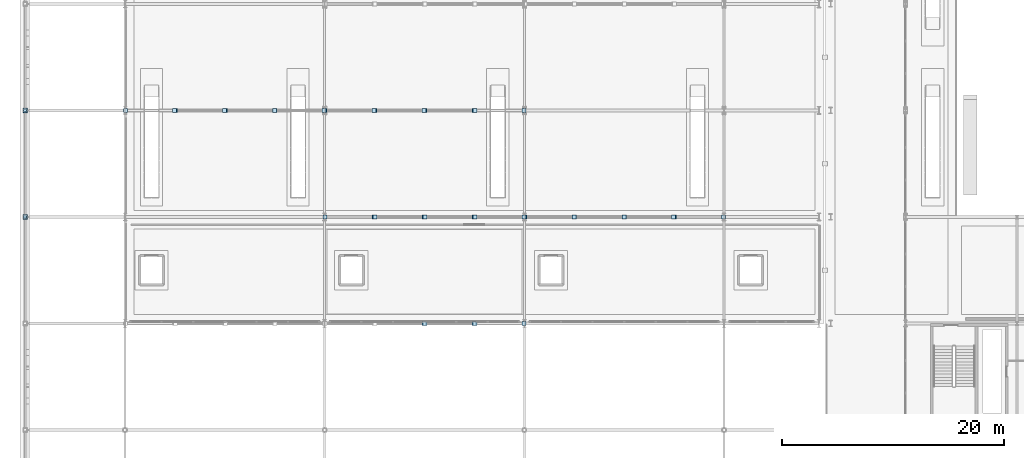
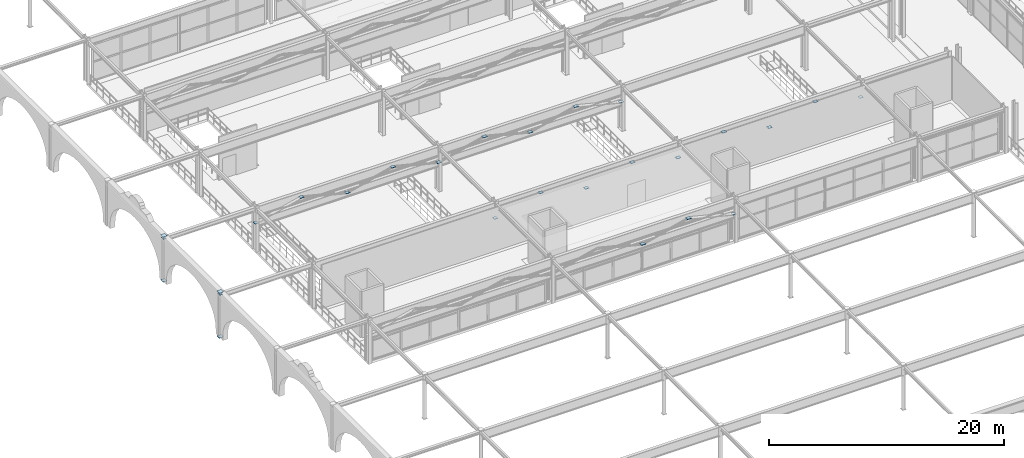
# One storey, part 66 of 125: 45 plates.
"""IFC4 building model written with IfcOpenShell, lengths in metres."""

from ifc_helpers import new_model, si_unit, direction, frame, origin, origin_2d, place, context, subcontext, project, spatial, rectangle, extrude, material, layer, layer_set, type_object, element, save


model = new_model("IFC4")

# Units and contexts
model_context = context("Model", 3, precision=1e-05, world=origin(), true_north=direction((0.0, 1.0)))
body_context = subcontext(model_context, "Body", "Model", "MODEL_VIEW")
ifc_project = project(units=[si_unit("LENGTHUNIT", "METRE"), si_unit("AREAUNIT", "SQUARE_METRE"), si_unit("VOLUMEUNIT", "CUBIC_METRE"), si_unit("PLANEANGLEUNIT", "RADIAN"), si_unit("MASSUNIT", "GRAM", prefix="KILO")], contexts=[model_context])

# Site, building, storey
site_placement = place(None, origin())
site = spatial("IfcSite", under=ifc_project, at=site_placement, CompositionType="ELEMENT")
building_placement = place(site_placement, origin())
building = spatial("IfcBuilding", under=site, at=building_placement, Name="Myrtia Square Station", CompositionType="ELEMENT")
storey_placement = place(building_placement, frame((0.0, 0.0, 6.0)))
storey = spatial("IfcBuildingStorey", under=building, at=storey_placement, Name="L01", CompositionType="ELEMENT", Elevation=6.0)

# Plates
ifc_material = material(Name="Steel S355", Category="steel")
ifc_layer_1 = layer(ifc_material, 0.01611328125, Name="Steel S355")
ifc_layer_set_1 = layer_set([ifc_layer_1], Name="Steel S355")
plate_type_1 = type_object("IfcPlateType", Name="PLT-GUS16", PredefinedType="USERDEFINED", material=ifc_layer_set_1)
for number, where, z_axis, x_axis, name in (
    (1, (0.0, 47.949951171875, 4.421875), (0.0, 0.0, 1.0), (0.0, 1.0, 0.0), "Truss node gusset plate SPNY-L01-0143-2"),
    (2, (0.0, 48.050048828125, 4.421875), (0.0, 0.0, 1.0), (0.0, 1.0, 0.0), "Truss node gusset plate SPNY-L01-0144-1"),
    (3, (0.0, 57.550048828125, 4.421875), (0.0, 0.0, 1.0), (0.0, 1.0, 0.0), "Truss node gusset plate SPNY-L01-0144-2"),
    (4, (0.0, 57.64990234375, 4.421875), (0.0, 0.0, 1.0), (0.0, 1.0, 0.0), "Truss node gusset plate SPNY-L01-0145-1"),
):
    element("IfcPlate", number, at=place(storey_placement, frame(where, z_axis=z_axis, x_axis=x_axis)), inside=storey, type_object=plate_type_1, Name=name, ObjectType="GUSSET PLATE", PredefinedType="USERDEFINED", context=body_context, shape_type="SweptSolid", body=[
        extrude(rectangle(XDim=0.280029296875, YDim=0.280029296875, at=origin_2d()), origin(), (0.0, 0.0, 1.0), 0.01611328125),
    ])
ifc_layer_2 = layer(ifc_material, 0.02001953125, Name="Steel S355")
ifc_layer_set_2 = layer_set([ifc_layer_2], Name="Steel S355")
plate_type_2 = type_object("IfcPlateType", Name="PLT-GUS20", PredefinedType="USERDEFINED", material=ifc_layer_set_2)
for number, where, z_axis, x_axis, name in (
    (5, (0.0, 48.0, -0.010009765625), (0.0, 0.0, 1.0), (1.0, 0.0, 0.0), "Truss node gusset plate COL-L01-0015-1"),
    (6, (0.0, 48.0, 4.669921875), (0.0, 0.0, 1.0), (1.0, 0.0, 0.0), "Truss node gusset plate COL-L01-0015-2"),
    (7, (0.0, 57.60009765625, -0.010009765625), (0.0, 0.0, 1.0), (1.0, 0.0, 0.0), "Truss node gusset plate COL-L01-0018-1"),
    (8, (0.0, 57.60009765625, 4.669921875), (0.0, 0.0, 1.0), (1.0, 0.0, 0.0), "Truss node gusset plate COL-L01-0018-2"),
):
    element("IfcPlate", number, at=place(storey_placement, frame(where, z_axis=z_axis, x_axis=x_axis)), inside=storey, type_object=plate_type_2, Name=name, ObjectType="GUSSET PLATE", PredefinedType="USERDEFINED", context=body_context, shape_type="SweptSolid", body=[
        extrude(rectangle(XDim=0.419921875, YDim=0.419921875, at=origin_2d()), origin(), (0.0, 0.0, 1.0), 0.02001953125),
    ])
ifc_layer_3 = layer(ifc_material, 0.02490234375, Name="Steel S355")
ifc_layer_set_3 = layer_set([ifc_layer_3], Name="Steel S355")
plate_type_3 = type_object("IfcPlateType", Name="PLT-GUS25", PredefinedType="USERDEFINED", material=ifc_layer_set_3)
for number, where, z_axis, x_axis, name in (
    (9, (35.9599609375, 38.39990234375, 2.837646484375), (0.0, 0.0, 1.0), (1.0, 0.0, 0.0), "Truss node gusset plate WTR-01-D06-2"),
    (10, (36.0400390625, 38.39990234375, 2.837646484375), (0.0, 0.0, 1.0), (1.0, 0.0, 0.0), "Truss node gusset plate WTR-01-D07-1"),
    (11, (40.4599609375, 38.39990234375, 3.9375), (0.0, 0.0, 1.0), (1.0, 0.0, 0.0), "Truss node gusset plate WTR-01-D07-2"),
    (12, (40.5400390625, 38.39990234375, 3.9375), (0.0, 0.0, 1.0), (1.0, 0.0, 0.0), "Truss node gusset plate WTR-01-D08-1"),
    (13, (44.9599609375, 38.39990234375, 2.837646484375), (0.0, 0.0, 1.0), (1.0, 0.0, 0.0), "Truss node gusset plate WTR-01-D08-2"),
    (14, (27.0400390625, 48.0, 2.837646484375), (0.0, 0.0, 1.0), (1.0, 0.0, 0.0), "Truss node gusset plate WTR-02-D01-1"),
    (15, (31.4599609375, 48.0, 3.9375), (0.0, 0.0, 1.0), (1.0, 0.0, 0.0), "Truss node gusset plate WTR-02-D01-2"),
    (16, (31.5400390625, 48.0, 3.9375), (0.0, 0.0, 1.0), (1.0, 0.0, 0.0), "Truss node gusset plate WTR-02-D02-1"),
    (17, (35.9599609375, 48.0, 2.837646484375), (0.0, 0.0, 1.0), (1.0, 0.0, 0.0), "Truss node gusset plate WTR-02-D02-2"),
    (18, (36.0400390625, 48.0, 2.837646484375), (0.0, 0.0, 1.0), (1.0, 0.0, 0.0), "Truss node gusset plate WTR-02-D03-1"),
    (19, (40.4599609375, 48.0, 3.9375), (0.0, 0.0, 1.0), (1.0, 0.0, 0.0), "Truss node gusset plate WTR-02-D03-2"),
    (20, (40.5400390625, 48.0, 3.9375), (0.0, 0.0, 1.0), (1.0, 0.0, 0.0), "Truss node gusset plate WTR-02-D04-1"),
    (21, (44.9599609375, 48.0, 2.837646484375), (0.0, 0.0, 1.0), (1.0, 0.0, 0.0), "Truss node gusset plate WTR-02-D04-2"),
    (22, (45.0400390625, 48.0, 2.837646484375), (0.0, 0.0, 1.0), (1.0, 0.0, 0.0), "Truss node gusset plate WTR-02-D05-1"),
    (23, (49.4599609375, 48.0, 3.9375), (0.0, 0.0, 1.0), (1.0, 0.0, 0.0), "Truss node gusset plate WTR-02-D05-2"),
    (24, (49.5400390625, 48.0, 3.9375), (0.0, 0.0, 1.0), (1.0, 0.0, 0.0), "Truss node gusset plate WTR-02-D06-1"),
    (25, (53.9599609375, 48.0, 2.837646484375), (0.0, 0.0, 1.0), (1.0, 0.0, 0.0), "Truss node gusset plate WTR-02-D06-2"),
    (26, (54.0400390625, 48.0, 2.837646484375), (0.0, 0.0, 1.0), (1.0, 0.0, 0.0), "Truss node gusset plate WTR-02-D07-1"),
    (27, (58.4599609375, 48.0, 3.9375), (0.0, 0.0, 1.0), (1.0, 0.0, 0.0), "Truss node gusset plate WTR-02-D07-2"),
    (28, (58.5400390625, 48.0, 3.9375), (0.0, 0.0, 1.0), (1.0, 0.0, 0.0), "Truss node gusset plate WTR-02-D08-1"),
    (29, (62.9599609375, 48.0, 2.837646484375), (0.0, 0.0, 1.0), (1.0, 0.0, 0.0), "Truss node gusset plate WTR-02-D08-2"),
    (30, (9.0400390625, 57.60009765625, 2.837646484375), (0.0, 0.0, 1.0), (1.0, 0.0, 0.0), "Truss node gusset plate WTR-03-D01-1"),
    (31, (13.4599609375, 57.60009765625, 3.9375), (0.0, 0.0, 1.0), (1.0, 0.0, 0.0), "Truss node gusset plate WTR-03-D01-2"),
    (32, (13.5400390625, 57.60009765625, 3.9375), (0.0, 0.0, 1.0), (1.0, 0.0, 0.0), "Truss node gusset plate WTR-03-D02-1"),
    (33, (17.9599609375, 57.60009765625, 2.837646484375), (0.0, 0.0, 1.0), (1.0, 0.0, 0.0), "Truss node gusset plate WTR-03-D02-2"),
    (34, (18.0400390625, 57.60009765625, 2.837646484375), (0.0, 0.0, 1.0), (1.0, 0.0, 0.0), "Truss node gusset plate WTR-03-D03-1"),
    (35, (22.4599609375, 57.60009765625, 3.9375), (0.0, 0.0, 1.0), (1.0, 0.0, 0.0), "Truss node gusset plate WTR-03-D03-2"),
    (36, (22.5400390625, 57.60009765625, 3.9375), (0.0, 0.0, 1.0), (1.0, 0.0, 0.0), "Truss node gusset plate WTR-03-D04-1"),
    (37, (26.9599609375, 57.60009765625, 2.837646484375), (0.0, 0.0, 1.0), (1.0, 0.0, 0.0), "Truss node gusset plate WTR-03-D04-2"),
    (38, (27.0400390625, 57.60009765625, 2.837646484375), (0.0, 0.0, 1.0), (1.0, 0.0, 0.0), "Truss node gusset plate WTR-03-D05-1"),
    (39, (31.4599609375, 57.60009765625, 3.9375), (0.0, 0.0, 1.0), (1.0, 0.0, 0.0), "Truss node gusset plate WTR-03-D05-2"),
    (40, (31.5400390625, 57.60009765625, 3.9375), (0.0, 0.0, 1.0), (1.0, 0.0, 0.0), "Truss node gusset plate WTR-03-D06-1"),
    (41, (35.9599609375, 57.60009765625, 2.837646484375), (0.0, 0.0, 1.0), (1.0, 0.0, 0.0), "Truss node gusset plate WTR-03-D06-2"),
    (42, (36.0400390625, 57.60009765625, 2.837646484375), (0.0, 0.0, 1.0), (1.0, 0.0, 0.0), "Truss node gusset plate WTR-03-D07-1"),
    (43, (40.4599609375, 57.60009765625, 3.9375), (0.0, 0.0, 1.0), (1.0, 0.0, 0.0), "Truss node gusset plate WTR-03-D07-2"),
    (44, (40.5400390625, 57.60009765625, 3.9375), (0.0, 0.0, 1.0), (1.0, 0.0, 0.0), "Truss node gusset plate WTR-03-D08-1"),
    (45, (44.9599609375, 57.60009765625, 2.837646484375), (0.0, 0.0, 1.0), (1.0, 0.0, 0.0), "Truss node gusset plate WTR-03-D08-2"),
):
    element("IfcPlate", number, at=place(storey_placement, frame(where, z_axis=z_axis, x_axis=x_axis)), inside=storey, type_object=plate_type_3, Name=name, ObjectType="GUSSET PLATE", PredefinedType="USERDEFINED", context=body_context, shape_type="SweptSolid", body=[
        extrude(rectangle(XDim=0.360107421875, YDim=0.360107421875, at=origin_2d()), origin(), (0.0, 0.0, 1.0), 0.02490234375),
    ])

save(model, "model.ifc")
